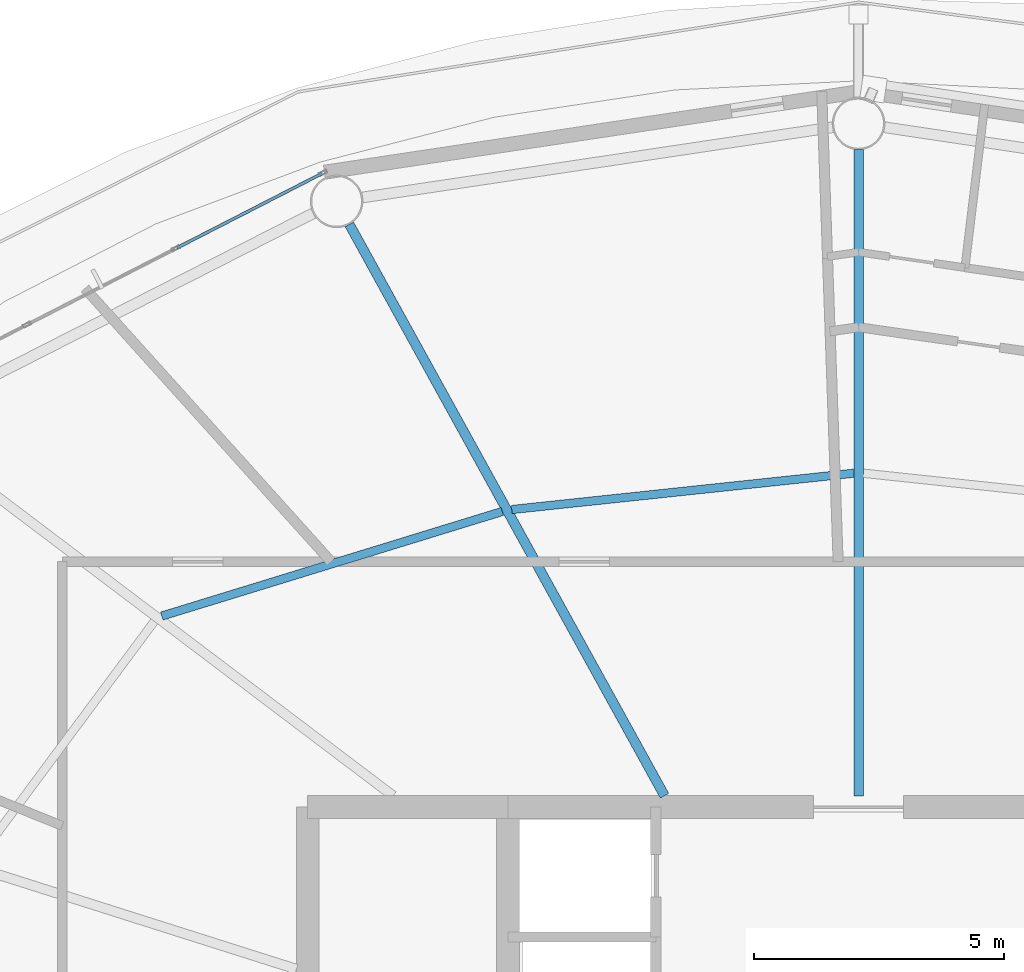
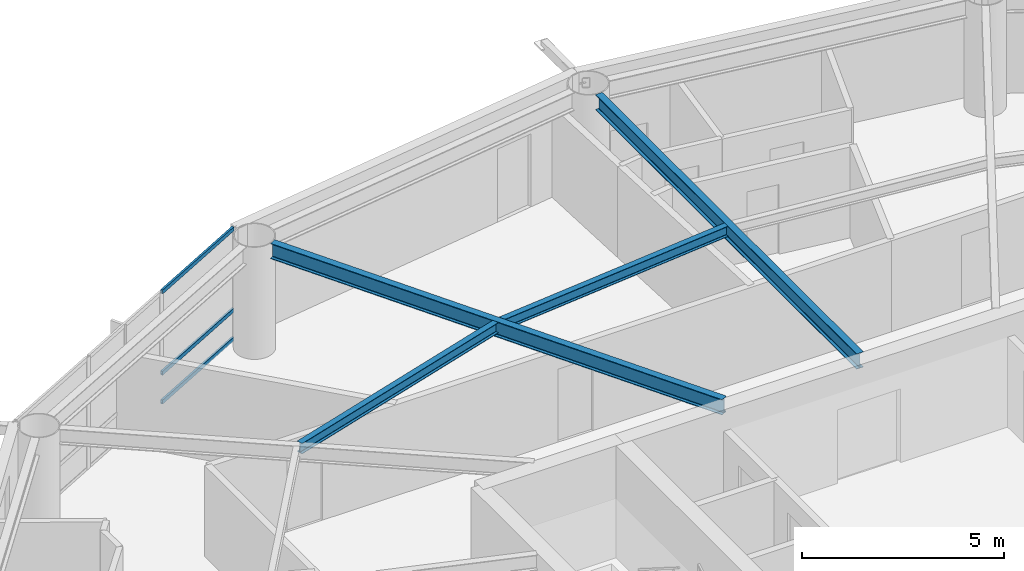
# One storey, part 12 of 30: 4 beams, 3 members, 1 element without a shape of its own.
"""IFC4 building model written with IfcOpenShell, lengths in metres."""

from ifc_helpers import new_model, si_unit, direction, frame, origin, origin_2d, place, context, subcontext, project, spatial, hollow_rectangle, i_section, extrude, material, layer, layer_set, material_profile, profile_set, type_object, element, aggregate, save


model = new_model("IFC4")

# Units and contexts
model_context = context("Model", 3, precision=1e-05, world=origin(), true_north=direction((0.0, 1.0)))
body_context = subcontext(model_context, "Body", "Model", "MODEL_VIEW")
ifc_project = project(units=[si_unit("LENGTHUNIT", "METRE"), si_unit("AREAUNIT", "SQUARE_METRE"), si_unit("VOLUMEUNIT", "CUBIC_METRE"), si_unit("PLANEANGLEUNIT", "RADIAN"), si_unit("MASSUNIT", "GRAM", prefix="KILO")], contexts=[model_context])

# Site, building, storey
site_placement = place(None, origin())
site = spatial("IfcSite", under=ifc_project, at=site_placement, CompositionType="ELEMENT")
building_placement = place(site_placement, origin())
building = spatial("IfcBuilding", under=site, at=building_placement, Name="Sarneth Arch Tower", CompositionType="ELEMENT")
storey_placement = place(building_placement, frame((0.0, 0.0, 168.60009765625)))
storey = spatial("IfcBuildingStorey", under=building, at=storey_placement, Name="L42", CompositionType="ELEMENT", Elevation=168.60009765625)

# Beams
ifc_material_1 = material(Name="Steel S355", Category="steel")
ifc_material_profile_1 = material_profile(ifc_material_1, i_section(OverallWidth=0.1669921875, OverallDepth=0.31689453125, WebThickness=0.007568359375, FlangeThickness=0.01318359375, FilletRadius=0.012939453125, at=origin_2d()), Name="W310x52")
ifc_profile_set_1 = profile_set([ifc_material_profile_1], Name="Steel S355")
beam_type_1 = type_object("IfcBeamType", Name="BM-JOIST-310B", PredefinedType="JOIST", material=ifc_profile_set_1)
beam_1_placement = place(storey_placement, frame((47.904052734375, 55.46484375, 3.221435546875), z_axis=(-0.994407831942, -0.105608066799, 0.0), x_axis=(0.105608066799, -0.994407831942, 0.0)))
element("IfcBeam", 1, at=beam_1_placement, inside=storey, type_object=beam_type_1, Name="L42 Secondary floor joist 05", PredefinedType="JOIST", context=body_context, shape_type="SweptSolid", body=[
    extrude(i_section(OverallWidth=0.1669921875, OverallDepth=0.31689453125, WebThickness=0.007568359375, FlangeThickness=0.01318359375, FilletRadius=0.012939453125, at=origin_2d()), origin(), (0.0, 0.0, 1.0), 6.8681640625),
])
beam_2_placement = place(storey_placement, frame((40.885986328125, 54.700927734375, 3.221435546875), z_axis=(-0.955929549608, -0.293596144707, 0.0), x_axis=(0.293596144707, -0.955929549608, 0.0)))
element("IfcBeam", 2, at=beam_2_placement, inside=storey, type_object=beam_type_1, Name="L42 Secondary floor joist 06", PredefinedType="JOIST", context=body_context, shape_type="SweptSolid", body=[
    extrude(i_section(OverallWidth=0.1669921875, OverallDepth=0.31689453125, WebThickness=0.007568359375, FlangeThickness=0.01318359375, FilletRadius=0.012939453125, at=origin_2d()), origin(), (0.0, 0.0, 1.0), 7.1123046875),
])
ifc_material_2 = material(Name="Steel S355", Category="steel")
ifc_material_profile_2 = material_profile(ifc_material_2, i_section(OverallWidth=0.193115234375, OverallDepth=0.466064453125, WebThickness=0.011474609375, FlangeThickness=0.01904296875, FilletRadius=0.01806640625, at=origin_2d()), Name="W460x97")
ifc_profile_set_2 = profile_set([ifc_material_profile_2], Name="Steel S355")
beam_type_2 = type_object("IfcBeamType", Name="BM-RAD-460C", PredefinedType="BEAM", material=ifc_profile_set_2)
beam_3_placement = place(storey_placement, frame((48.0, 49.02490234375, 3.14697265625), z_axis=(0.0, 1.0, 0.0), x_axis=(-1.0, 0.0, 0.0)))
element("IfcBeam", 3, at=beam_3_placement, inside=storey, type_object=beam_type_2, Name="L42 Radial floor girder 05", PredefinedType="BEAM", context=body_context, shape_type="SweptSolid", body=[
    extrude(i_section(OverallWidth=0.193115234375, OverallDepth=0.466064453125, WebThickness=0.011474609375, FlangeThickness=0.01904296875, FilletRadius=0.01806640625, at=origin_2d()), origin(), (0.0, 0.0, 1.0), 12.900146484375),
])
beam_4_placement = place(storey_placement, frame((44.125, 49.02490234375, 3.14697265625), z_axis=(-0.483004525121, 0.87561785541, 0.0), x_axis=(-0.87561785541, -0.483004525121, 0.0)))
element("IfcBeam", 4, at=beam_4_placement, inside=storey, type_object=beam_type_2, Name="L42 Radial floor girder 06", PredefinedType="BEAM", context=body_context, shape_type="SweptSolid", body=[
    extrude(i_section(OverallWidth=0.193115234375, OverallDepth=0.466064453125, WebThickness=0.011474609375, FlangeThickness=0.01904296875, FilletRadius=0.01806640625, at=origin_2d()), origin(), (0.0, 0.0, 1.0), 13.029296875),
])

# Curtain wall, members
ifc_material_3 = material(Name="Anodised aluminium Type AA25 and solar-control low-e laminated IGU", Category="aluminium")
ifc_layer = layer(ifc_material_3, 0.169921875)
ifc_layer_set = layer_set([ifc_layer], Name="Anodised aluminium Type AA25 and solar-control low-e laminated IGU")
curtain_wall_type = type_object("IfcCurtainWallType", Name="CW-RES-MID", PredefinedType="NOTDEFINED", material=ifc_layer_set)
curtain_wall_placement = place(storey_placement, origin())
curtain_wall = element("IfcCurtainWall", 5, at=curtain_wall_placement, inside=storey, type_object=curtain_wall_type, Name="L42 Unitised curtain wall facet 06", PredefinedType="NOTDEFINED")
ifc_material_4 = material(Name="Anodised Aluminium 6063-T6", Category="aluminium")
ifc_material_profile_3 = material_profile(ifc_material_4, hollow_rectangle(XDim=0.06005859375, YDim=0.1201171875, WallThickness=0.00390625, at=origin_2d()), Name="AL-TRAN-120x60x4")
ifc_profile_set_3 = profile_set([ifc_material_profile_3], Name="Anodised Aluminium 6063-T6")
member_type = type_object("IfcMemberType", Name="CW-TRANSOM", PredefinedType="USERDEFINED", material=ifc_profile_set_3)
member_1_placement = place(storey_placement, frame((37.28369140625, 61.447998046875, 0.02978515625), z_axis=(-0.889857362344, -0.456238835131, 0.0), x_axis=(0.456238835131, -0.889857362344, 0.0)))
member_1 = element("IfcMember", 6, at=member_1_placement, type_object=member_type, Name="CW-SYS-5 transom 1.1", ObjectType="TRANSOM", PredefinedType="USERDEFINED", context=body_context, shape_type="SweptSolid", body=[
    extrude(hollow_rectangle(XDim=0.06005859375, YDim=0.1201171875, WallThickness=0.00390625, at=origin_2d()), origin(), (0.0, 0.0, 1.0), 3.248779296875),
])
member_2_placement = place(storey_placement, frame((37.28369140625, 61.447998046875, 0.89990234375), z_axis=(-0.889857362344, -0.456238835131, 0.0), x_axis=(0.456238835131, -0.889857362344, 0.0)))
member_2 = element("IfcMember", 7, at=member_2_placement, type_object=member_type, Name="CW-SYS-5 transom 1.2", ObjectType="TRANSOM", PredefinedType="USERDEFINED", context=body_context, shape_type="SweptSolid", body=[
    extrude(hollow_rectangle(XDim=0.06005859375, YDim=0.1201171875, WallThickness=0.00390625, at=origin_2d()), origin(), (0.0, 0.0, 1.0), 3.248779296875),
])
member_3_placement = place(storey_placement, frame((37.28369140625, 61.447998046875, 3.349853515625), z_axis=(-0.889857362344, -0.456238835131, 0.0), x_axis=(0.456238835131, -0.889857362344, 0.0)))
member_3 = element("IfcMember", 8, at=member_3_placement, type_object=member_type, Name="CW-SYS-5 transom 1.3", ObjectType="TRANSOM", PredefinedType="USERDEFINED", context=body_context, shape_type="SweptSolid", body=[
    extrude(hollow_rectangle(XDim=0.06005859375, YDim=0.1201171875, WallThickness=0.00390625, at=origin_2d()), origin(), (0.0, 0.0, 1.0), 3.248779296875),
])
aggregate(curtain_wall, [member_1, member_2, member_3])

save(model, "model.ifc")
